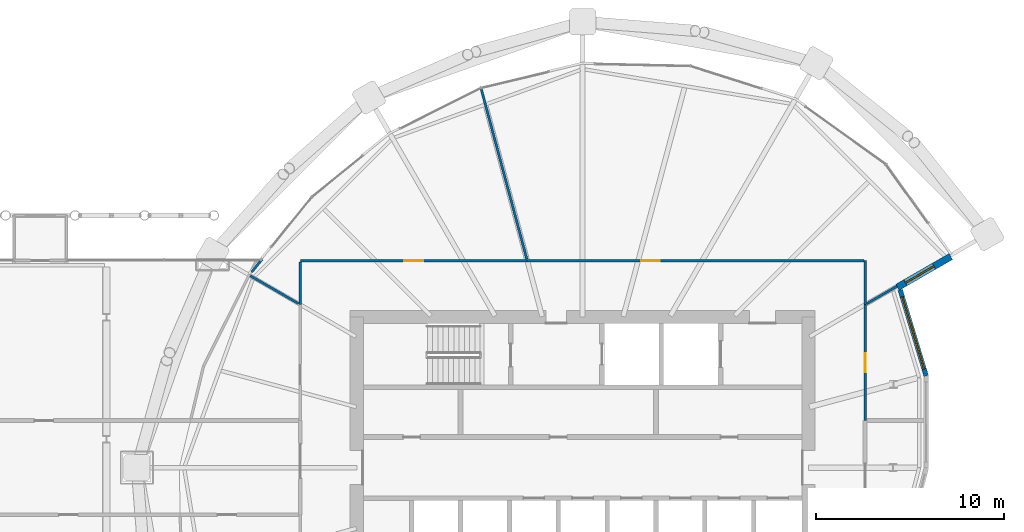
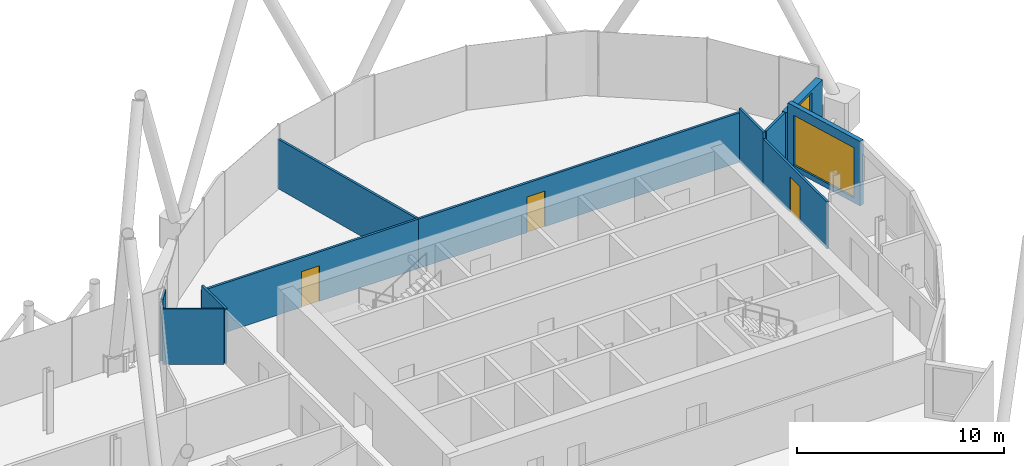
# One storey, part 29 of 35: 11 walls, 3 doors, 2 windows, 5 openings.
"""IFC4 building model written with IfcOpenShell, lengths in metres."""

from ifc_helpers import new_model, si_unit, direction, frame, frame_2d, origin, place, context, subcontext, project, spatial, rectangle, extrude, material, layer, layer_set, type_object, element, fill, save


model = new_model("IFC4")

# Units and contexts
model_context = context("Model", 3, precision=1e-05, world=origin(), true_north=direction((0.0, 1.0)))
body_context = subcontext(model_context, "Body", "Model", "MODEL_VIEW")
ifc_project = project(units=[si_unit("LENGTHUNIT", "METRE"), si_unit("AREAUNIT", "SQUARE_METRE"), si_unit("VOLUMEUNIT", "CUBIC_METRE"), si_unit("PLANEANGLEUNIT", "RADIAN"), si_unit("MASSUNIT", "GRAM", prefix="KILO")], contexts=[model_context])

# Site, building, storey
site_placement = place(None, origin())
site = spatial("IfcSite", under=ifc_project, at=site_placement, CompositionType="ELEMENT")
building_placement = place(site_placement, origin())
building = spatial("IfcBuilding", under=site, at=building_placement, Name="Rimbun Link Towers", CompositionType="ELEMENT")
storey_placement = place(building_placement, frame((0.0, 0.0, 146.800048828125)))
storey = spatial("IfcBuildingStorey", under=building, at=storey_placement, Name="L35", CompositionType="ELEMENT", Elevation=146.800048828125)

# Wall, opening, window
ifc_material_1 = material(Name="Dark enamelled glass spandrel on insulated aluminium backpan", Category="aluminium")
ifc_layer_1 = layer(ifc_material_1, 0.25)
ifc_layer_set_1 = layer_set([ifc_layer_1], Name="CS dark enamelled spandrel wall 250")
wall_type_1 = type_object("IfcWallType", Name="CS dark enamelled spandrel wall 250", PredefinedType="STANDARD", material=ifc_layer_set_1)
wall_1_placement = place(storey_placement, frame((48.616943359375, 9.449462890625, 0.0), z_axis=(0.0, 0.0, 1.0), x_axis=(0.289062898136, -0.957310106977, 0.0)))
wall_1 = element("IfcWall", 1, at=wall_1_placement, inside=storey, type_object=wall_type_1, Name="Crease spandrel wall", PredefinedType="STANDARD", context=body_context, shape_type="SweptSolid", body=[
    extrude(rectangle(XDim=4.77880859375, YDim=0.25, at=frame_2d((2.389404296875, 0.0))), origin(), (0.0, 0.0, 1.0), 3.800048828125),
])
opening_1_placement = place(wall_1_placement, frame((0.389404296875, 0.0, 0.300048828125)))
opening_1 = element("IfcOpeningElement", 2, at=opening_1_placement, cuts=wall_1, Name="Opening WR40H295", PredefinedType="OPENING", context=body_context, shape_type="SweptSolid", body=[
    extrude(rectangle(XDim=4.0, YDim=2.949951171875, at=frame_2d((2.0, 1.47509765625))), frame((0.0, 0.135009765625, 0.0), z_axis=(0.0, -1.0, 0.0), x_axis=(1.0, 0.0, 0.0)), (0.0, 0.0, 1.0), 0.27001953125),
])
ifc_material_2 = material(Name="Aluminium framed fixed window, dark tinted low-e glass", Category="aluminium")
window_type_1 = type_object("IfcWindowType", Name="WR ribbon window 4000X2950", PartitioningType="SINGLE_PANEL", PredefinedType="WINDOW", material=ifc_material_2)
window_1_placement = place(opening_1_placement, origin())
window_1 = element("IfcWindow", 3, at=window_1_placement, inside=storey, type_object=window_type_1, Name="Crease ribbon window", OverallHeight=2.949951171875, OverallWidth=4.0, PartitioningType="SINGLE_PANEL", PredefinedType="WINDOW", context=body_context, shape_type="SweptSolid", body=[
    extrude(rectangle(XDim=4.0, YDim=2.949951171875, at=frame_2d((2.0, 1.47509765625))), frame((0.0, 0.030029296875, 0.0), z_axis=(0.0, -1.0, 0.0), x_axis=(1.0, 0.0, 0.0)), (0.0, 0.0, 1.0), 0.06005859375),
])
fill(opening_1, window_1)

ifc_material_3 = material(Name="Dark enamelled glass spandrel on insulated aluminium backpan", Category="aluminium")
ifc_layer_2 = layer(ifc_material_3, 0.3701171875)
ifc_layer_set_2 = layer_set([ifc_layer_2], Name="CS dark enamelled spandrel wall 370")
wall_type_2 = type_object("IfcWallType", Name="CS dark enamelled spandrel wall 370", PredefinedType="STANDARD", material=ifc_layer_set_2)
wall_2_placement = place(storey_placement, frame((51.304443359375, 11.214599609375, 0.0), z_axis=(0.0, 0.0, 1.0), x_axis=(-0.866040564224, -0.499973740429, 0.0)))
wall_2 = element("IfcWall", 4, at=wall_2_placement, inside=storey, type_object=wall_type_2, Name="Crease spandrel wall", PredefinedType="STANDARD", context=body_context, shape_type="SweptSolid", body=[
    extrude(rectangle(XDim=3.280029296875, YDim=0.3701171875, at=frame_2d((1.64013671875, 0.0))), origin(), (0.0, 0.0, 1.0), 3.156494140625),
])
opening_2_placement = place(wall_2_placement, frame((1.031494140625, 0.0, 0.300048828125)))
opening_2 = element("IfcOpeningElement", 5, at=opening_2_placement, cuts=wall_2, Name="Opening WR18H270", PredefinedType="OPENING", context=body_context, shape_type="SweptSolid", body=[
    extrude(rectangle(XDim=1.75, YDim=2.699951171875, at=frame_2d((0.875, 1.35009765625))), frame((0.0, 0.195068359375, 0.0), z_axis=(0.0, -1.0, 0.0), x_axis=(1.0, 0.0, 0.0)), (0.0, 0.0, 1.0), 0.39013671875),
])
ifc_material_4 = material(Name="Aluminium framed fixed window, dark tinted low-e glass", Category="aluminium")
window_type_2 = type_object("IfcWindowType", Name="WR ribbon window 1750X2700", PartitioningType="SINGLE_PANEL", PredefinedType="WINDOW", material=ifc_material_4)
window_2_placement = place(opening_2_placement, origin())
window_2 = element("IfcWindow", 6, at=window_2_placement, inside=storey, type_object=window_type_2, Name="Crease ribbon window", OverallHeight=2.699951171875, OverallWidth=1.75, PartitioningType="SINGLE_PANEL", PredefinedType="WINDOW", context=body_context, shape_type="SweptSolid", body=[
    extrude(rectangle(XDim=1.75, YDim=2.699951171875, at=frame_2d((0.875, 1.35009765625))), frame((0.0, 0.030029296875, 0.0), z_axis=(0.0, -1.0, 0.0), x_axis=(1.0, 0.0, 0.0)), (0.0, 0.0, 1.0), 0.06005859375),
])
fill(opening_2, window_2)

# Wall, opening, door
ifc_material_5 = material(Name="Gypsum board on steel studs", Category="steel")
ifc_layer_3 = layer(ifc_material_5, 0.125)
ifc_layer_set_3 = layer_set([ifc_layer_3], Name="Partition 125 board on studs")
wall_type_3 = type_object("IfcWallType", Name="Partition 125 board on studs", PredefinedType="PARTITIONING", material=ifc_layer_set_3)
wall_3_placement = place(storey_placement, frame((46.75, 2.5, 0.0), z_axis=(0.0, 0.0, 1.0), x_axis=(0.0, 1.0, 0.0)))
wall_3 = element("IfcWall", 7, at=wall_3_placement, inside=storey, type_object=wall_type_3, Name="TW/PW/L35/040", PredefinedType="PARTITIONING", context=body_context, shape_type="SweptSolid", body=[
    extrude(rectangle(XDim=6.160400390625, YDim=0.125, at=frame_2d((3.080078125, 0.0))), origin(), (0.0, 0.0, 1.0), 2.759033203125),
])
opening_3_placement = place(wall_3_placement, frame((2.580078125, 0.0, 0.0)))
opening_3 = element("IfcOpeningElement", 8, at=opening_3_placement, cuts=wall_3, Name="Opening TW D35.13", PredefinedType="OPENING", context=body_context, shape_type="SweptSolid", body=[
    extrude(rectangle(XDim=1.0, YDim=2.10009765625, at=frame_2d((0.5, 1.050048828125))), frame((0.0, 0.072509765625, 0.0), z_axis=(0.0, -1.0, 0.0), x_axis=(1.0, 0.0, 0.0)), (0.0, 0.0, 1.0), 0.14501953125),
])
ifc_material_6 = material(Name="Timber door set", Category="wood")
door_type = type_object("IfcDoorType", Name="Door single leaf 1000 x 2100", OperationType="NOTDEFINED", PredefinedType="DOOR", material=ifc_material_6)
door_1_placement = place(opening_3_placement, origin())
door_1 = element("IfcDoor", 9, at=door_1_placement, inside=storey, type_object=door_type, Name="TW/DR/L35/013", OperationType="SINGLE_SWING_RIGHT", OverallHeight=2.10009765625, OverallWidth=1.0, PredefinedType="DOOR", context=body_context, shape_type="SweptSolid", body=[
    extrude(rectangle(XDim=1.0, YDim=2.10009765625, at=frame_2d((0.5, 1.050048828125))), frame((0.0, 0.02490234375, 0.0), z_axis=(0.0, -1.0, 0.0), x_axis=(1.0, 0.0, 0.0)), (0.0, 0.0, 1.0), 0.050048828125),
])
fill(opening_3, door_1)

# Wall
wall_4_placement = place(storey_placement, frame((46.75, 8.660400390625, 0.0), z_axis=(0.0, 0.0, 1.0), x_axis=(0.0, 1.0, 0.0)))
element("IfcWall", 10, at=wall_4_placement, inside=storey, type_object=wall_type_3, Name="TW/PW/L35/042", PredefinedType="PARTITIONING", context=body_context, shape_type="SweptSolid", body=[
    extrude(rectangle(XDim=2.339599609375, YDim=0.125, at=frame_2d((1.169921875, 0.0))), origin(), (0.0, 0.0, 1.0), 3.14697265625),
])

# Wall, opening, door
wall_5_placement = place(storey_placement, frame((46.6875, 11.0, 0.0), z_axis=(0.0, 0.0, 1.0), x_axis=(-1.0, 0.0, 0.0)))
wall_5 = element("IfcWall", 11, at=wall_5_placement, inside=storey, type_object=wall_type_3, Name="TW/PW/L35/043", PredefinedType="PARTITIONING", context=body_context, shape_type="SweptSolid", body=[
    extrude(rectangle(XDim=17.885009765625, YDim=0.125, at=frame_2d((8.9423828125, 0.0))), origin(), (0.0, 0.0, 1.0), 2.916015625),
])
opening_4_placement = place(wall_5_placement, frame((10.840087890625, 0.0, 0.0)))
opening_4 = element("IfcOpeningElement", 12, at=opening_4_placement, cuts=wall_5, Name="Opening TW D35.15", PredefinedType="OPENING", context=body_context, shape_type="SweptSolid", body=[
    extrude(rectangle(XDim=1.0, YDim=2.10009765625, at=frame_2d((0.5, 1.050048828125))), frame((0.0, 0.072509765625, 0.0), z_axis=(0.0, -1.0, 0.0), x_axis=(1.0, 0.0, 0.0)), (0.0, 0.0, 1.0), 0.14501953125),
])
door_2_placement = place(opening_4_placement, origin())
door_2 = element("IfcDoor", 13, at=door_2_placement, inside=storey, type_object=door_type, Name="TW/DR/L35/015", OperationType="SINGLE_SWING_RIGHT", OverallHeight=2.10009765625, OverallWidth=1.0, PredefinedType="DOOR", context=body_context, shape_type="SweptSolid", body=[
    extrude(rectangle(XDim=1.0, YDim=2.10009765625, at=frame_2d((0.5, 1.050048828125))), frame((0.0, 0.02490234375, 0.0), z_axis=(0.0, -1.0, 0.0), x_axis=(1.0, 0.0, 0.0)), (0.0, 0.0, 1.0), 0.050048828125),
])
fill(opening_4, door_2)

wall_6_placement = place(storey_placement, frame((28.802490234375, 11.0, 0.0), z_axis=(0.0, 0.0, 1.0), x_axis=(-1.0, 0.0, 0.0)))
wall_6 = element("IfcWall", 14, at=wall_6_placement, inside=storey, type_object=wall_type_3, Name="TW/PW/L35/044", PredefinedType="PARTITIONING", context=body_context, shape_type="SweptSolid", body=[
    extrude(rectangle(XDim=12.052490234375, YDim=0.125, at=frame_2d((6.0263671875, 0.0))), origin(), (0.0, 0.0, 1.0), 2.916015625),
])
opening_5_placement = place(wall_6_placement, frame((5.52587890625, 0.0, 0.0)))
opening_5 = element("IfcOpeningElement", 15, at=opening_5_placement, cuts=wall_6, Name="Opening TW D35.16", PredefinedType="OPENING", context=body_context, shape_type="SweptSolid", body=[
    extrude(rectangle(XDim=1.0, YDim=2.10009765625, at=frame_2d((0.5, 1.050048828125))), frame((0.0, 0.072509765625, 0.0), z_axis=(0.0, -1.0, 0.0), x_axis=(1.0, 0.0, 0.0)), (0.0, 0.0, 1.0), 0.14501953125),
])
door_3_placement = place(opening_5_placement, origin())
door_3 = element("IfcDoor", 16, at=door_3_placement, inside=storey, type_object=door_type, Name="TW/DR/L35/016", OperationType="SINGLE_SWING_LEFT", OverallHeight=2.10009765625, OverallWidth=1.0, PredefinedType="DOOR", context=body_context, shape_type="SweptSolid", body=[
    extrude(rectangle(XDim=1.0, YDim=2.10009765625, at=frame_2d((0.5, 1.050048828125))), frame((0.0, 0.02490234375, 0.0), z_axis=(0.0, -1.0, 0.0), x_axis=(1.0, 0.0, 0.0)), (0.0, 0.0, 1.0), 0.050048828125),
])
fill(opening_5, door_3)

# Walls
wall_7_placement = place(storey_placement, frame((16.75, 10.9375, 0.0), z_axis=(0.0, 0.0, 1.0), x_axis=(0.0, -1.0, 0.0)))
element("IfcWall", 17, at=wall_7_placement, inside=storey, type_object=wall_type_3, Name="TW/PW/L35/045", PredefinedType="PARTITIONING", context=body_context, shape_type="SweptSolid", body=[
    extrude(rectangle(XDim=2.277099609375, YDim=0.125, at=frame_2d((1.138671875, 0.0))), origin(), (0.0, 0.0, 1.0), 3.244873046875),
])
wall_8_placement = place(storey_placement, frame((48.44873046875, 9.64111328125, 0.0), z_axis=(0.0, 0.0, 1.0), x_axis=(-0.865996920067, -0.500049332001, 0.0)))
element("IfcWall", 18, at=wall_8_placement, inside=storey, type_object=wall_type_3, Name="TW/PW/L35/057", PredefinedType="PARTITIONING", context=body_context, shape_type="SweptSolid", body=[
    extrude(rectangle(XDim=1.853271484375, YDim=0.125, at=frame_2d((0.9267578125, 0.0))), origin(), (0.0, 0.0, 1.0), 3.14697265625),
])
wall_9_placement = place(storey_placement, frame((26.33251953125, 20.218017578125, 0.0), z_axis=(0.0, 0.0, 1.0), x_axis=(0.25882679655, -0.965923749262, 0.0)))
element("IfcWall", 19, at=wall_9_placement, inside=storey, type_object=wall_type_3, Name="TW/PW/L35/058", PredefinedType="PARTITIONING", context=body_context, shape_type="SweptSolid", body=[
    extrude(rectangle(XDim=9.4619140625, YDim=0.125, at=frame_2d((4.73095703125, 0.0))), origin(), (0.0, 0.0, 1.0), 2.916015625),
])
wall_10_placement = place(storey_placement, frame((14.0927734375, 10.1943359375, 0.0), z_axis=(0.0, 0.0, 1.0), x_axis=(0.866031754707, -0.499988999718, 0.0)))
element("IfcWall", 20, at=wall_10_placement, inside=storey, type_object=wall_type_3, Name="TW/PW/L35/059", PredefinedType="PARTITIONING", context=body_context, shape_type="SweptSolid", body=[
    extrude(rectangle(XDim=2.9599609375, YDim=0.125, at=frame_2d((1.47998046875, 0.0))), origin(), (0.0, 0.0, 1.0), 3.244873046875),
])
wall_11_placement = place(storey_placement, frame((14.7109375, 11.062255859375, 0.0), z_axis=(0.0, 0.0, 1.0), x_axis=(-0.629019695517, -0.777389363608, 0.0)))
element("IfcWall", 21, at=wall_11_placement, inside=storey, type_object=wall_type_3, Name="TW/PW/L35/060", PredefinedType="PARTITIONING", context=body_context, shape_type="SweptSolid", body=[
    extrude(rectangle(XDim=0.865478515625, YDim=0.125, at=frame_2d((0.4326171875, 0.0))), origin(), (0.0, 0.0, 1.0), 3.619873046875),
])

save(model, "model.ifc")
